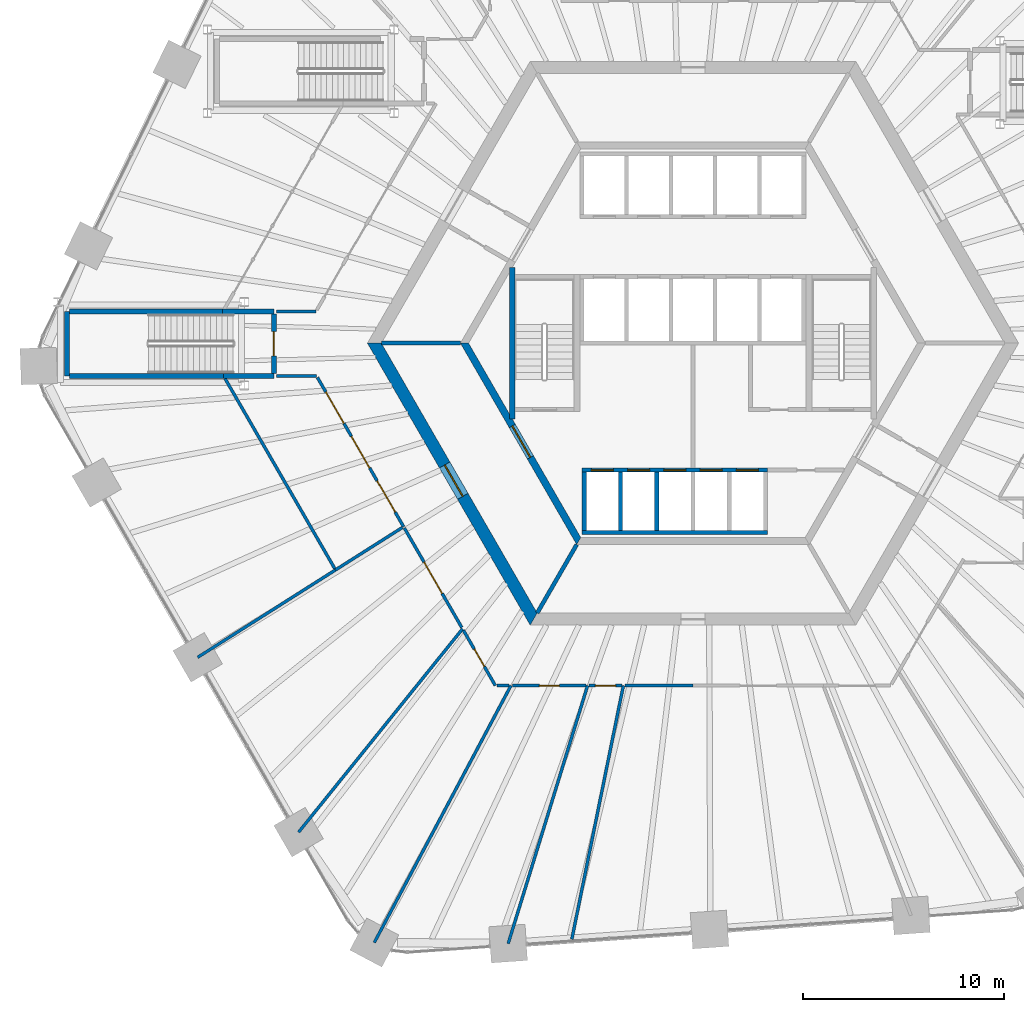
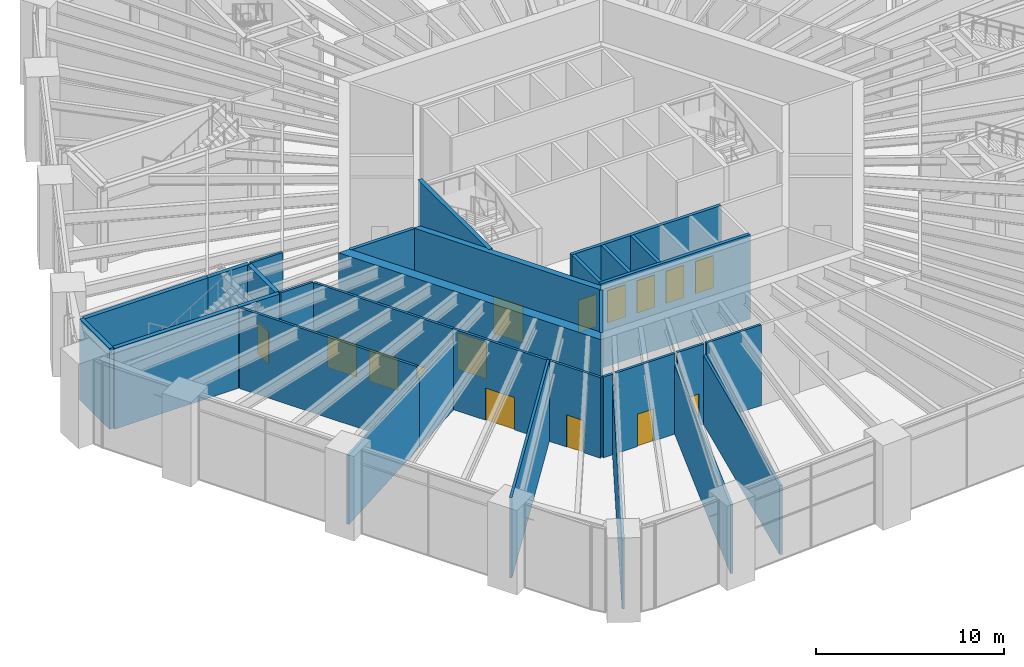
# One storey, part 21 of 30: 32 walls, 15 doors, 15 openings.
"""IFC4 building model written with IfcOpenShell, lengths in metres."""

from ifc_helpers import new_model, si_unit, direction, frame, frame_2d, origin, place, context, subcontext, project, spatial, polyline, rectangle, outline, extrude, material, layer, layer_set, type_object, element, fill, save


model = new_model("IFC4")

# Units and contexts
model_context = context("Model", 3, precision=1e-05, world=origin(), true_north=direction((0.0, 1.0)))
body_context = subcontext(model_context, "Body", "Model", "MODEL_VIEW")
ifc_project = project(units=[si_unit("LENGTHUNIT", "METRE"), si_unit("AREAUNIT", "SQUARE_METRE"), si_unit("VOLUMEUNIT", "CUBIC_METRE"), si_unit("PLANEANGLEUNIT", "RADIAN"), si_unit("MASSUNIT", "GRAM", prefix="KILO")], contexts=[model_context])

# Site, building, storey
site_placement = place(None, origin())
site = spatial("IfcSite", under=ifc_project, at=site_placement, CompositionType="ELEMENT")
building_placement = place(site_placement, origin())
building = spatial("IfcBuilding", under=site, at=building_placement, Name="Tarnside Tower", CompositionType="ELEMENT")
storey_placement = place(building_placement, frame((0.0, 0.0, 15.0)))
storey = spatial("IfcBuildingStorey", under=building, at=storey_placement, Name="L02", CompositionType="ELEMENT", Elevation=15.0)

# Wall, opening, door
ifc_material_1 = material(Name="Concrete C50/60", Category="concrete")
ifc_layer_1 = layer(ifc_material_1, 0.35009765625)
ifc_layer_set_1 = layer_set([ifc_layer_1], Name="Core block wall 350 C50/60")
wall_type_1 = type_object("IfcWallType", Name="Core block wall 350 C50/60", PredefinedType="SHEAR", material=ifc_layer_set_1)
wall_1_placement = place(storey_placement, frame((-11.344970703125, 0.0, -0.25), z_axis=(0.0, 0.0, 1.0), x_axis=(0.499995046907, -0.866028263435, 0.0)))
wall_1 = element("IfcWall", 1, at=wall_1_placement, inside=storey, type_object=wall_type_1, Name="L02 core block wall face 3", PredefinedType="SHEAR", context=body_context, shape_type="SweptSolid", body=[
    extrude(outline(polyline([(-0.10107421875, -0.175048828125), (11.44580078125, -0.175048828125), (11.24365234375, 0.175048828125), (0.10107421875, 0.175048828125), (-0.10107421875, -0.175048828125)])), origin(), (0.0, 0.0, 1.0), 5.5),
])
opening_1_placement = place(wall_1_placement, frame((4.74365234375, 0.0, 0.25)))
opening_1 = element("IfcOpeningElement", 2, at=opening_1_placement, cuts=wall_1, Name="Opening CD-FFL", PredefinedType="OPENING", context=body_context, shape_type="SweptSolid", body=[
    extrude(rectangle(XDim=1.800048828125, YDim=2.39990234375, at=frame_2d((0.89990234375, 1.199951171875))), frame((0.0, 0.18505859375, 0.0), z_axis=(0.0, -1.0, 0.0), x_axis=(1.0, 0.0, 0.0)), (0.0, 0.0, 1.0), 0.3701171875),
])
ifc_material_2 = material(Name="Steel fire door", Category="steel")
door_type_1 = type_object("IfcDoorType", Name="Firefighting lobby double door FD60S 1800x2400", OperationType="NOTDEFINED", PredefinedType="DOOR", material=ifc_material_2)
door_1_placement = place(opening_1_placement, origin())
door_1 = element("IfcDoor", 3, at=door_1_placement, inside=storey, type_object=door_type_1, Name="L02 lobby block door P3", OperationType="DOUBLE_DOOR_SINGLE_SWING", OverallHeight=2.39990234375, OverallWidth=1.800048828125, PredefinedType="DOOR", context=body_context, shape_type="SweptSolid", body=[
    extrude(rectangle(XDim=1.800048828125, YDim=2.39990234375, at=frame_2d((0.89990234375, 1.199951171875))), frame((0.0, 0.02490234375, 0.0), z_axis=(0.0, -1.0, 0.0), x_axis=(1.0, 0.0, 0.0)), (0.0, 0.0, 1.0), 0.050048828125),
])
fill(opening_1, door_1)

ifc_material_3 = material(Name="Concrete C80/95", Category="concrete")
ifc_layer_2 = layer(ifc_material_3, 0.60009765625)
ifc_layer_set_2 = layer_set([ifc_layer_2], Name="Core wall Z1 600 C80/95")
wall_type_2 = type_object("IfcWallType", Name="Core wall Z1 600 C80/95", PredefinedType="SHEAR", material=ifc_layer_set_2)
wall_2_placement = place(storey_placement, frame((-15.8193359375, 0.0, -0.25), z_axis=(0.0, 0.0, 1.0), x_axis=(0.499999880136, -0.866025472988, 0.0)))
wall_2 = element("IfcWall", 4, at=wall_2_placement, inside=storey, type_object=wall_type_2, Name="L02 core wall face 3", PredefinedType="SHEAR", context=body_context, shape_type="SweptSolid", body=[
    extrude(outline(polyline([(-0.17333984375, -0.300048828125), (15.99267578125, -0.300048828125), (15.64599609375, 0.300048828125), (0.17333984375, 0.300048828125), (-0.17333984375, -0.300048828125)])), origin(), (0.0, 0.0, 1.0), 5.5),
])
opening_2_placement = place(wall_2_placement, frame((6.980712890625, 0.0, 0.25)))
opening_2 = element("IfcOpeningElement", 5, at=opening_2_placement, cuts=wall_2, Name="Opening CD-FFL", PredefinedType="OPENING", context=body_context, shape_type="SweptSolid", body=[
    extrude(rectangle(XDim=1.800048828125, YDim=2.39990234375, at=frame_2d((0.89990234375, 1.199951171875))), frame((0.0, 0.31005859375, 0.0), z_axis=(0.0, -1.0, 0.0), x_axis=(1.0, 0.0, 0.0)), (0.0, 0.0, 1.0), 0.6201171875),
])
door_2_placement = place(opening_2_placement, origin())
door_2 = element("IfcDoor", 6, at=door_2_placement, inside=storey, type_object=door_type_1, Name="L02 core door P3", OperationType="DOUBLE_DOOR_SINGLE_SWING", OverallHeight=2.39990234375, OverallWidth=1.800048828125, PredefinedType="DOOR", context=body_context, shape_type="SweptSolid", body=[
    extrude(rectangle(XDim=1.800048828125, YDim=2.39990234375, at=frame_2d((0.89990234375, 1.199951171875))), frame((0.0, 0.02490234375, 0.0), z_axis=(0.0, -1.0, 0.0), x_axis=(1.0, 0.0, 0.0)), (0.0, 0.0, 1.0), 0.050048828125),
])
fill(opening_2, door_2)

# Wall, openings, doors
ifc_material_4 = material(Name="Concrete C40/50", Category="concrete")
ifc_layer_3 = layer(ifc_material_4, 0.199951171875)
ifc_layer_set_3 = layer_set([ifc_layer_3], Name="Lift shaft wall 200 C40/50")
wall_type_3 = type_object("IfcWallType", Name="Lift shaft wall 200 C40/50", PredefinedType="SHEAR", material=ifc_layer_set_3)
wall_3_placement = place(storey_placement, frame((-5.5, -6.300048828125, -0.25), z_axis=(0.0, 0.0, 1.0), x_axis=(1.0, 0.0, 0.0)))
wall_3 = element("IfcWall", 7, at=wall_3_placement, inside=storey, type_object=wall_type_3, Name="L02 lift shaft front wall R4", PredefinedType="SHEAR", context=body_context, shape_type="SweptSolid", body=[
    extrude(rectangle(XDim=9.199951171875, YDim=0.199951171875, at=frame_2d((4.60009765625, 0.0))), origin(), (0.0, 0.0, 1.0), 5.5),
])
opening_3_placement = place(wall_3_placement, frame((0.449951171875, 0.0, 0.25)))
opening_3 = element("IfcOpeningElement", 8, at=opening_3_placement, cuts=wall_3, Name="Opening LDF", PredefinedType="OPENING", context=body_context, shape_type="SweptSolid", body=[
    extrude(rectangle(XDim=1.10009765625, YDim=2.10009765625, at=frame_2d((0.550048828125, 1.050048828125))), frame((0.0, 0.10986328125, 0.0), z_axis=(0.0, -1.0, 0.0), x_axis=(1.0, 0.0, 0.0)), (0.0, 0.0, 1.0), 0.219970703125),
])
opening_4_placement = place(wall_3_placement, frame((2.25, 0.0, 0.25)))
opening_4 = element("IfcOpeningElement", 9, at=opening_4_placement, cuts=wall_3, Name="Opening LDF", PredefinedType="OPENING", context=body_context, shape_type="SweptSolid", body=[
    extrude(rectangle(XDim=1.10009765625, YDim=2.10009765625, at=frame_2d((0.550048828125, 1.050048828125))), frame((0.0, 0.10986328125, 0.0), z_axis=(0.0, -1.0, 0.0), x_axis=(1.0, 0.0, 0.0)), (0.0, 0.0, 1.0), 0.219970703125),
])
opening_5_placement = place(wall_3_placement, frame((4.050048828125, 0.0, 0.25)))
opening_5 = element("IfcOpeningElement", 10, at=opening_5_placement, cuts=wall_3, Name="Opening LDF", PredefinedType="OPENING", context=body_context, shape_type="SweptSolid", body=[
    extrude(rectangle(XDim=1.10009765625, YDim=2.10009765625, at=frame_2d((0.550048828125, 1.050048828125))), frame((0.0, 0.10986328125, 0.0), z_axis=(0.0, -1.0, 0.0), x_axis=(1.0, 0.0, 0.0)), (0.0, 0.0, 1.0), 0.219970703125),
])
opening_6_placement = place(wall_3_placement, frame((5.85009765625, 0.0, 0.25)))
opening_6 = element("IfcOpeningElement", 11, at=opening_6_placement, cuts=wall_3, Name="Opening LDF", PredefinedType="OPENING", context=body_context, shape_type="SweptSolid", body=[
    extrude(rectangle(XDim=1.10009765625, YDim=2.10009765625, at=frame_2d((0.550048828125, 1.050048828125))), frame((0.0, 0.10986328125, 0.0), z_axis=(0.0, -1.0, 0.0), x_axis=(1.0, 0.0, 0.0)), (0.0, 0.0, 1.0), 0.219970703125),
])
opening_7_placement = place(wall_3_placement, frame((7.64990234375, 0.0, 0.25)))
opening_7 = element("IfcOpeningElement", 12, at=opening_7_placement, cuts=wall_3, Name="Opening LDF", PredefinedType="OPENING", context=body_context, shape_type="SweptSolid", body=[
    extrude(rectangle(XDim=1.10009765625, YDim=2.10009765625, at=frame_2d((0.550048828125, 1.050048828125))), frame((0.0, 0.10986328125, 0.0), z_axis=(0.0, -1.0, 0.0), x_axis=(1.0, 0.0, 0.0)), (0.0, 0.0, 1.0), 0.219970703125),
])
ifc_material_5 = material(Name="Stainless steel", Category="steel")
door_type_2 = type_object("IfcDoorType", Name="Lift landing door 1100x2100 EI 120", OperationType="NOTDEFINED", PredefinedType="DOOR", material=ifc_material_5)
door_3_placement = place(opening_3_placement, origin())
door_3 = element("IfcDoor", 13, at=door_3_placement, inside=storey, type_object=door_type_2, Name="Firefighting lift 1 landing door L02", OperationType="SLIDING_TO_LEFT", OverallHeight=2.10009765625, OverallWidth=1.10009765625, PredefinedType="DOOR", context=body_context, shape_type="SweptSolid", body=[
    extrude(rectangle(XDim=1.10009765625, YDim=2.10009765625, at=frame_2d((0.550048828125, 1.050048828125))), frame((0.0, 0.02490234375, 0.0), z_axis=(0.0, -1.0, 0.0), x_axis=(1.0, 0.0, 0.0)), (0.0, 0.0, 1.0), 0.050048828125),
])
fill(opening_3, door_3)
door_4_placement = place(opening_4_placement, origin())
door_4 = element("IfcDoor", 14, at=door_4_placement, inside=storey, type_object=door_type_2, Name="Firefighting lift 2 landing door L02", OperationType="SLIDING_TO_LEFT", OverallHeight=2.10009765625, OverallWidth=1.10009765625, PredefinedType="DOOR", context=body_context, shape_type="SweptSolid", body=[
    extrude(rectangle(XDim=1.10009765625, YDim=2.10009765625, at=frame_2d((0.550048828125, 1.050048828125))), frame((0.0, 0.02490234375, 0.0), z_axis=(0.0, -1.0, 0.0), x_axis=(1.0, 0.0, 0.0)), (0.0, 0.0, 1.0), 0.050048828125),
])
fill(opening_4, door_4)
door_5_placement = place(opening_5_placement, origin())
door_5 = element("IfcDoor", 15, at=door_5_placement, inside=storey, type_object=door_type_2, Name="Firefighting lift 3 landing door L02", OperationType="SLIDING_TO_LEFT", OverallHeight=2.10009765625, OverallWidth=1.10009765625, PredefinedType="DOOR", context=body_context, shape_type="SweptSolid", body=[
    extrude(rectangle(XDim=1.10009765625, YDim=2.10009765625, at=frame_2d((0.550048828125, 1.050048828125))), frame((0.0, 0.02490234375, 0.0), z_axis=(0.0, -1.0, 0.0), x_axis=(1.0, 0.0, 0.0)), (0.0, 0.0, 1.0), 0.050048828125),
])
fill(opening_5, door_5)
door_6_placement = place(opening_6_placement, origin())
door_6 = element("IfcDoor", 16, at=door_6_placement, inside=storey, type_object=door_type_2, Name="Firefighting lift 4 landing door L02", OperationType="SLIDING_TO_LEFT", OverallHeight=2.10009765625, OverallWidth=1.10009765625, PredefinedType="DOOR", context=body_context, shape_type="SweptSolid", body=[
    extrude(rectangle(XDim=1.10009765625, YDim=2.10009765625, at=frame_2d((0.550048828125, 1.050048828125))), frame((0.0, 0.02490234375, 0.0), z_axis=(0.0, -1.0, 0.0), x_axis=(1.0, 0.0, 0.0)), (0.0, 0.0, 1.0), 0.050048828125),
])
fill(opening_6, door_6)
door_7_placement = place(opening_7_placement, origin())
door_7 = element("IfcDoor", 17, at=door_7_placement, inside=storey, type_object=door_type_2, Name="Firefighting lift 5 landing door L02", OperationType="SLIDING_TO_LEFT", OverallHeight=2.10009765625, OverallWidth=1.10009765625, PredefinedType="DOOR", context=body_context, shape_type="SweptSolid", body=[
    extrude(rectangle(XDim=1.10009765625, YDim=2.10009765625, at=frame_2d((0.550048828125, 1.050048828125))), frame((0.0, 0.02490234375, 0.0), z_axis=(0.0, -1.0, 0.0), x_axis=(1.0, 0.0, 0.0)), (0.0, 0.0, 1.0), 0.050048828125),
])
fill(opening_7, door_7)

# Walls
wall_4_placement = place(storey_placement, frame((-5.5, -9.39990234375, -0.25), z_axis=(0.0, 0.0, 1.0), x_axis=(1.0, 0.0, 0.0)))
element("IfcWall", 18, at=wall_4_placement, inside=storey, type_object=wall_type_3, Name="L02 lift shaft back wall R4", PredefinedType="SHEAR", context=body_context, shape_type="SweptSolid", body=[
    extrude(rectangle(XDim=9.199951171875, YDim=0.199951171875, at=frame_2d((4.60009765625, 0.0))), origin(), (0.0, 0.0, 1.0), 5.5),
])
for number, where, z_axis, x_axis, name in (
    (19, (-5.39990234375, -9.300048828125, -0.25), (0.0, 0.0, 1.0), (0.0, 1.0, 0.0), "L02 lift shaft partition R41"),
    (20, (-3.60009765625, -9.300048828125, -0.25), (0.0, 0.0, 1.0), (0.0, 1.0, 0.0), "L02 lift shaft partition R42"),
    (21, (-1.800048828125, -9.300048828125, -0.25), (0.0, 0.0, 1.0), (0.0, 1.0, 0.0), "L02 lift shaft partition R43"),
):
    element("IfcWall", number, at=place(storey_placement, frame(where, z_axis=z_axis, x_axis=x_axis)), inside=storey, type_object=wall_type_3, Name=name, PredefinedType="SHEAR", context=body_context, shape_type="SweptSolid", body=[
        extrude(rectangle(XDim=2.900146484375, YDim=0.199951171875, at=frame_2d((1.4501953125, 0.0))), origin(), (0.0, 0.0, 1.0), 5.5),
    ])
wall_5_placement = place(storey_placement, frame((-11.547119140625, 0.0, -0.25), z_axis=(0.0, 0.0, 1.0), x_axis=(-1.0, 0.0, 0.0)))
element("IfcWall", 22, at=wall_5_placement, inside=storey, type_object=wall_type_3, Name="L02 core partition AR180", PredefinedType="SHEAR", context=body_context, shape_type="SweptSolid", body=[
    extrude(rectangle(XDim=3.92578125, YDim=0.199951171875, at=frame_2d((1.962890625, 0.0))), origin(), (0.0, 0.0, 1.0), 5.5),
])
wall_6_placement = place(storey_placement, frame((-5.7734375, -10.0, -0.25), z_axis=(0.0, 0.0, 1.0), x_axis=(-0.500038251005, -0.86600331843, 0.0)))
element("IfcWall", 23, at=wall_6_placement, inside=storey, type_object=wall_type_3, Name="L02 core partition AR240", PredefinedType="SHEAR", context=body_context, shape_type="SweptSolid", body=[
    extrude(rectangle(XDim=3.926025390625, YDim=0.199951171875, at=frame_2d((1.962890625, 0.0))), origin(), (0.0, 0.0, 1.0), 5.5),
])
ifc_material_6 = material(Name="Gypsum board")
ifc_layer_4 = layer(ifc_material_6, 0.14990234375)
ifc_layer_set_4 = layer_set([ifc_layer_4], Name="Partition 150 gypsum board on metal stud")
wall_type_4 = type_object("IfcWallType", Name="Partition 150 gypsum board on metal stud", PredefinedType="PARTITIONING", material=ifc_layer_set_4)
wall_7_placement = place(storey_placement, frame((-24.595947265625, -15.59912109375, 0.0), z_axis=(0.0, 0.0, 1.0), x_axis=(0.844468094915, 0.535605859445, 0.0)))
element("IfcWall", 24, at=wall_7_placement, inside=storey, type_object=wall_type_4, Name="Partition 002", PredefinedType="PARTITIONING", context=body_context, shape_type="SweptSolid", body=[
    extrude(rectangle(XDim=8.116455078125, YDim=0.14990234375, at=frame_2d((4.05810546875, 0.0))), origin(), (0.0, 0.0, 1.0), 4.49609375),
])
wall_8_placement = place(storey_placement, frame((-23.23876953125, -1.75, 0.0), z_axis=(0.0, 0.0, 1.0), x_axis=(0.499992537871, -0.866029712004, 0.0)))
element("IfcWall", 25, at=wall_8_placement, inside=storey, type_object=wall_type_4, Name="Partition 006", PredefinedType="PARTITIONING", context=body_context, shape_type="SweptSolid", body=[
    extrude(rectangle(XDim=10.902587890625, YDim=0.14990234375, at=frame_2d((5.451171875, 0.0))), origin(), (0.0, 0.0, 1.0), 5.25),
])
wall_9_placement = place(storey_placement, frame((-20.679931640625, 1.574951171875, 0.0), z_axis=(0.0, 0.0, 1.0), x_axis=(1.0, 0.0, 0.0)))
element("IfcWall", 26, at=wall_9_placement, inside=storey, type_object=wall_type_4, Name="Partition 011", PredefinedType="PARTITIONING", context=body_context, shape_type="SweptSolid", body=[
    extrude(rectangle(XDim=1.958984375, YDim=0.14990234375, at=frame_2d((0.9794921875, 0.0))), origin(), (0.0, 0.0, 1.0), 5.25),
])
wall_10_placement = place(storey_placement, frame((-19.583984375, -24.280029296875, 0.0), z_axis=(0.0, 0.0, 1.0), x_axis=(0.627807267634, 0.77836882948, 0.0)))
element("IfcWall", 27, at=wall_10_placement, inside=storey, type_object=wall_type_4, Name="Partition 012", PredefinedType="PARTITIONING", context=body_context, shape_type="SweptSolid", body=[
    extrude(rectangle(XDim=12.970703125, YDim=0.14990234375, at=frame_2d((6.4853515625, 0.0))), origin(), (0.0, 0.0, 1.0), 5.25),
])
wall_11_placement = place(storey_placement, frame((-18.69189453125, -1.625, 0.0), z_axis=(0.0, 0.0, 1.0), x_axis=(-1.0, 0.0, 0.0)))
element("IfcWall", 28, at=wall_11_placement, inside=storey, type_object=wall_type_4, Name="Partition 013", PredefinedType="PARTITIONING", context=body_context, shape_type="SweptSolid", body=[
    extrude(rectangle(XDim=1.988037109375, YDim=0.14990234375, at=frame_2d((0.994140625, 0.0))), origin(), (0.0, 0.0, 1.0), 5.25),
])

# Wall, openings, doors
wall_12_placement = place(storey_placement, frame((-18.648681640625, -1.699951171875, 0.0), z_axis=(0.0, 0.0, 1.0), x_axis=(0.499985805234, -0.866033598981, 0.0)))
wall_12 = element("IfcWall", 29, at=wall_12_placement, inside=storey, type_object=wall_type_4, Name="Partition 014", PredefinedType="PARTITIONING", context=body_context, shape_type="SweptSolid", body=[
    extrude(rectangle(XDim=8.559814453125, YDim=0.14990234375, at=frame_2d((4.27978515625, 0.0))), origin(), (0.0, 0.0, 1.0), 5.25),
])
opening_8_placement = place(wall_12_placement, frame((0.8359375, 0.0, 0.0)))
opening_8 = element("IfcOpeningElement", 30, at=opening_8_placement, cuts=wall_12, Name="Opening D1800F30", PredefinedType="OPENING", context=body_context, shape_type="SweptSolid", body=[
    extrude(rectangle(XDim=1.800048828125, YDim=2.10009765625, at=frame_2d((0.89990234375, 1.050048828125))), frame((0.0, 0.0849609375, 0.0), z_axis=(0.0, -1.0, 0.0), x_axis=(1.0, 0.0, 0.0)), (0.0, 0.0, 1.0), 0.169921875),
])
opening_9_placement = place(wall_12_placement, frame((3.3798828125, 0.0, 0.0)))
opening_9 = element("IfcOpeningElement", 31, at=opening_9_placement, cuts=wall_12, Name="Opening D1800F30", PredefinedType="OPENING", context=body_context, shape_type="SweptSolid", body=[
    extrude(rectangle(XDim=1.800048828125, YDim=2.10009765625, at=frame_2d((0.89990234375, 1.050048828125))), frame((0.0, 0.0849609375, 0.0), z_axis=(0.0, -1.0, 0.0), x_axis=(1.0, 0.0, 0.0)), (0.0, 0.0, 1.0), 0.169921875),
])
opening_10_placement = place(wall_12_placement, frame((5.923828125, 0.0, 0.0)))
opening_10 = element("IfcOpeningElement", 32, at=opening_10_placement, cuts=wall_12, Name="Opening D1800F30", PredefinedType="OPENING", context=body_context, shape_type="SweptSolid", body=[
    extrude(rectangle(XDim=1.800048828125, YDim=2.10009765625, at=frame_2d((0.89990234375, 1.050048828125))), frame((0.0, 0.0849609375, 0.0), z_axis=(0.0, -1.0, 0.0), x_axis=(1.0, 0.0, 0.0)), (0.0, 0.0, 1.0), 0.169921875),
])
ifc_material_7 = material(Name="Timber door leaf", Category="wood")
door_type_3 = type_object("IfcDoorType", Name="Door pair 1800 x 2100 FD30S fire door", OperationType="NOTDEFINED", PredefinedType="DOOR", material=ifc_material_7)
door_8_placement = place(opening_8_placement, origin())
door_8 = element("IfcDoor", 33, at=door_8_placement, inside=storey, type_object=door_type_3, Name="Door L02-02", OperationType="DOUBLE_DOOR_SINGLE_SWING", OverallHeight=2.10009765625, OverallWidth=1.800048828125, PredefinedType="DOOR", context=body_context, shape_type="SweptSolid", body=[
    extrude(rectangle(XDim=1.800048828125, YDim=2.10009765625, at=frame_2d((0.89990234375, 1.050048828125))), frame((0.0, 0.02490234375, 0.0), z_axis=(0.0, -1.0, 0.0), x_axis=(1.0, 0.0, 0.0)), (0.0, 0.0, 1.0), 0.050048828125),
])
fill(opening_8, door_8)
door_9_placement = place(opening_9_placement, origin())
door_9 = element("IfcDoor", 34, at=door_9_placement, inside=storey, type_object=door_type_3, Name="Door L02-03", OperationType="DOUBLE_DOOR_SINGLE_SWING", OverallHeight=2.10009765625, OverallWidth=1.800048828125, PredefinedType="DOOR", context=body_context, shape_type="SweptSolid", body=[
    extrude(rectangle(XDim=1.800048828125, YDim=2.10009765625, at=frame_2d((0.89990234375, 1.050048828125))), frame((0.0, 0.02490234375, 0.0), z_axis=(0.0, -1.0, 0.0), x_axis=(1.0, 0.0, 0.0)), (0.0, 0.0, 1.0), 0.050048828125),
])
fill(opening_9, door_9)
door_10_placement = place(opening_10_placement, origin())
door_10 = element("IfcDoor", 35, at=door_10_placement, inside=storey, type_object=door_type_3, Name="Door L02-04", OperationType="DOUBLE_DOOR_SINGLE_SWING", OverallHeight=2.10009765625, OverallWidth=1.800048828125, PredefinedType="DOOR", context=body_context, shape_type="SweptSolid", body=[
    extrude(rectangle(XDim=1.800048828125, YDim=2.10009765625, at=frame_2d((0.89990234375, 1.050048828125))), frame((0.0, 0.02490234375, 0.0), z_axis=(0.0, -1.0, 0.0), x_axis=(1.0, 0.0, 0.0)), (0.0, 0.0, 1.0), 0.050048828125),
])
fill(opening_10, door_10)

# Walls
wall_13_placement = place(storey_placement, frame((-17.758056640625, -11.261962890625, 0.0), z_axis=(0.0, 0.0, 1.0), x_axis=(0.844546191186, 0.53548270836, 0.0)))
element("IfcWall", 36, at=wall_13_placement, inside=storey, type_object=wall_type_4, Name="Partition 016", PredefinedType="PARTITIONING", context=body_context, shape_type="SweptSolid", body=[
    extrude(rectangle(XDim=3.937744140625, YDim=0.14990234375, at=frame_2d((1.96875, 0.0))), origin(), (0.0, 0.0, 1.0), 4.49609375),
])
wall_14_placement = place(storey_placement, frame((-15.823974609375, -29.760009765625, 0.0), z_axis=(0.0, 0.0, 1.0), x_axis=(0.469487453171, 0.882939143608, 0.0)))
element("IfcWall", 37, at=wall_14_placement, inside=storey, type_object=wall_type_4, Name="Partition 019", PredefinedType="PARTITIONING", context=body_context, shape_type="SweptSolid", body=[
    extrude(rectangle(XDim=14.45166015625, YDim=0.14990234375, at=frame_2d((7.225830078125, 0.0))), origin(), (0.0, 0.0, 1.0), 4.48779296875),
])

# Wall, opening, door
wall_15_placement = place(storey_placement, frame((-11.481201171875, -14.1142578125, 0.0), z_axis=(0.0, 0.0, 1.0), x_axis=(-0.500049947645, 0.865996564577, 0.0)))
wall_15 = element("IfcWall", 38, at=wall_15_placement, inside=storey, type_object=wall_type_4, Name="Partition 021", PredefinedType="PARTITIONING", context=body_context, shape_type="SweptSolid", body=[
    extrude(rectangle(XDim=5.7001953125, YDim=0.14990234375, at=frame_2d((2.85009765625, 0.0))), origin(), (0.0, 0.0, 1.0), 5.25),
])
opening_11_placement = place(wall_15_placement, frame((1.9501953125, 0.0, 0.0)))
opening_11 = element("IfcOpeningElement", 39, at=opening_11_placement, cuts=wall_15, Name="Opening D1800F30", PredefinedType="OPENING", context=body_context, shape_type="SweptSolid", body=[
    extrude(rectangle(XDim=1.800048828125, YDim=2.10009765625, at=frame_2d((0.89990234375, 1.050048828125))), frame((0.0, 0.0849609375, 0.0), z_axis=(0.0, -1.0, 0.0), x_axis=(1.0, 0.0, 0.0)), (0.0, 0.0, 1.0), 0.169921875),
])
door_11_placement = place(opening_11_placement, origin())
door_11 = element("IfcDoor", 40, at=door_11_placement, inside=storey, type_object=door_type_3, Name="Door L02-13", OperationType="DOUBLE_DOOR_SINGLE_SWING", OverallHeight=2.10009765625, OverallWidth=1.800048828125, PredefinedType="DOOR", context=body_context, shape_type="SweptSolid", body=[
    extrude(rectangle(XDim=1.800048828125, YDim=2.10009765625, at=frame_2d((0.89990234375, 1.050048828125))), frame((0.0, 0.02490234375, 0.0), z_axis=(0.0, -1.0, 0.0), x_axis=(1.0, 0.0, 0.0)), (0.0, 0.0, 1.0), 0.050048828125),
])
fill(opening_11, door_11)

wall_16_placement = place(storey_placement, frame((-9.81494140625, -17.0, 0.0), z_axis=(0.0, 0.0, 1.0), x_axis=(-0.500080068905, 0.865979171045, 0.0)))
wall_16 = element("IfcWall", 41, at=wall_16_placement, inside=storey, type_object=wall_type_4, Name="Partition 028", PredefinedType="PARTITIONING", context=body_context, shape_type="SweptSolid", body=[
    extrude(rectangle(XDim=3.17138671875, YDim=0.14990234375, at=frame_2d((1.585693359375, 0.0))), origin(), (0.0, 0.0, 1.0), 5.25),
])
opening_12_placement = place(wall_16_placement, frame((1.085693359375, 0.0, 0.0)))
opening_12 = element("IfcOpeningElement", 42, at=opening_12_placement, cuts=wall_16, Name="Opening D1000", PredefinedType="OPENING", context=body_context, shape_type="SweptSolid", body=[
    extrude(rectangle(XDim=1.0, YDim=2.10009765625, at=frame_2d((0.5, 1.050048828125))), frame((0.0, 0.0849609375, 0.0), z_axis=(0.0, -1.0, 0.0), x_axis=(1.0, 0.0, 0.0)), (0.0, 0.0, 1.0), 0.169921875),
])
door_type_4 = type_object("IfcDoorType", Name="Door 1000 x 2100 single leaf", OperationType="NOTDEFINED", PredefinedType="DOOR", material=ifc_material_7)
door_12_placement = place(opening_12_placement, origin())
door_12 = element("IfcDoor", 43, at=door_12_placement, inside=storey, type_object=door_type_4, Name="Door L02-16", OperationType="SINGLE_SWING_LEFT", OverallHeight=2.10009765625, OverallWidth=1.0, PredefinedType="DOOR", context=body_context, shape_type="SweptSolid", body=[
    extrude(rectangle(XDim=1.0, YDim=2.10009765625, at=frame_2d((0.5, 1.050048828125))), frame((0.0, 0.02490234375, 0.0), z_axis=(0.0, -1.0, 0.0), x_axis=(1.0, 0.0, 0.0)), (0.0, 0.0, 1.0), 0.050048828125),
])
fill(opening_12, door_12)

# Walls
wall_17_placement = place(storey_placement, frame((-9.728515625, -17.0, 0.0), z_axis=(0.0, 0.0, 1.0), x_axis=(1.0, 0.0, 0.0)))
element("IfcWall", 44, at=wall_17_placement, inside=storey, type_object=wall_type_4, Name="Partition 036", PredefinedType="PARTITIONING", context=body_context, shape_type="SweptSolid", body=[
    extrude(rectangle(XDim=0.6044921875, YDim=0.14990234375, at=frame_2d((0.30224609375, 0.0))), origin(), (0.0, 0.0, 1.0), 5.25),
])
wall_18_placement = place(storey_placement, frame((-9.177001953125, -29.81298828125, 0.0), z_axis=(0.0, 0.0, 1.0), x_axis=(0.29419717946, 0.955744746048, 0.0)))
element("IfcWall", 45, at=wall_18_placement, inside=storey, type_object=wall_type_4, Name="Partition 037", PredefinedType="PARTITIONING", context=body_context, shape_type="SweptSolid", body=[
    extrude(rectangle(XDim=13.40625, YDim=0.14990234375, at=frame_2d((6.703125, 0.0))), origin(), (0.0, 0.0, 1.0), 4.48779296875),
])

# Wall, opening, door
wall_19_placement = place(storey_placement, frame((-5.3115234375, -17.0, 0.0), z_axis=(0.0, 0.0, 1.0), x_axis=(-1.0, 0.0, 0.0)))
wall_19 = element("IfcWall", 46, at=wall_19_placement, inside=storey, type_object=wall_type_4, Name="Partition 038", PredefinedType="PARTITIONING", context=body_context, shape_type="SweptSolid", body=[
    extrude(rectangle(XDim=3.642578125, YDim=0.14990234375, at=frame_2d((1.8212890625, 0.0))), origin(), (0.0, 0.0, 1.0), 5.25),
])
opening_13_placement = place(wall_19_placement, frame((1.3212890625, 0.0, 0.0)))
opening_13 = element("IfcOpeningElement", 47, at=opening_13_placement, cuts=wall_19, Name="Opening D1000", PredefinedType="OPENING", context=body_context, shape_type="SweptSolid", body=[
    extrude(rectangle(XDim=1.0, YDim=2.10009765625, at=frame_2d((0.5, 1.050048828125))), frame((0.0, 0.0849609375, 0.0), z_axis=(0.0, -1.0, 0.0), x_axis=(1.0, 0.0, 0.0)), (0.0, 0.0, 1.0), 0.169921875),
])
door_13_placement = place(opening_13_placement, origin())
door_13 = element("IfcDoor", 48, at=door_13_placement, inside=storey, type_object=door_type_4, Name="Door L02-19", OperationType="SINGLE_SWING_RIGHT", OverallHeight=2.10009765625, OverallWidth=1.0, PredefinedType="DOOR", context=body_context, shape_type="SweptSolid", body=[
    extrude(rectangle(XDim=1.0, YDim=2.10009765625, at=frame_2d((0.5, 1.050048828125))), frame((0.0, 0.02490234375, 0.0), z_axis=(0.0, -1.0, 0.0), x_axis=(1.0, 0.0, 0.0)), (0.0, 0.0, 1.0), 0.050048828125),
])
fill(opening_13, door_13)

# Wall
wall_20_placement = place(storey_placement, frame((-6.01611328125, -29.592041015625, 0.0), z_axis=(0.0, 0.0, 1.0), x_axis=(0.199231841521, 0.979952383192, 0.0)))
element("IfcWall", 49, at=wall_20_placement, inside=storey, type_object=wall_type_4, Name="Partition 041", PredefinedType="PARTITIONING", context=body_context, shape_type="SweptSolid", body=[
    extrude(rectangle(XDim=12.849609375, YDim=0.14990234375, at=frame_2d((6.4248046875, 0.0))), origin(), (0.0, 0.0, 1.0), 4.49609375),
])

# Wall, opening, door
wall_21_placement = place(storey_placement, frame((-3.532470703125, -17.0, 0.0), z_axis=(0.0, 0.0, 1.0), x_axis=(-1.0, 0.0, 0.0)))
wall_21 = element("IfcWall", 50, at=wall_21_placement, inside=storey, type_object=wall_type_4, Name="Partition 042", PredefinedType="PARTITIONING", context=body_context, shape_type="SweptSolid", body=[
    extrude(rectangle(XDim=1.6220703125, YDim=0.14990234375, at=frame_2d((0.81103515625, 0.0))), origin(), (0.0, 0.0, 1.0), 5.25),
])
opening_14_placement = place(wall_21_placement, frame((0.31103515625, 0.0, 0.0)))
opening_14 = element("IfcOpeningElement", 51, at=opening_14_placement, cuts=wall_21, Name="Opening D1000", PredefinedType="OPENING", context=body_context, shape_type="SweptSolid", body=[
    extrude(rectangle(XDim=1.0, YDim=2.10009765625, at=frame_2d((0.5, 1.050048828125))), frame((0.0, 0.0849609375, 0.0), z_axis=(0.0, -1.0, 0.0), x_axis=(1.0, 0.0, 0.0)), (0.0, 0.0, 1.0), 0.169921875),
])
door_14_placement = place(opening_14_placement, origin())
door_14 = element("IfcDoor", 52, at=door_14_placement, inside=storey, type_object=door_type_4, Name="Door L02-20", OperationType="SINGLE_SWING_LEFT", OverallHeight=2.10009765625, OverallWidth=1.0, PredefinedType="DOOR", context=body_context, shape_type="SweptSolid", body=[
    extrude(rectangle(XDim=1.0, YDim=2.10009765625, at=frame_2d((0.5, 1.050048828125))), frame((0.0, 0.02490234375, 0.0), z_axis=(0.0, -1.0, 0.0), x_axis=(1.0, 0.0, 0.0)), (0.0, 0.0, 1.0), 0.050048828125),
])
fill(opening_14, door_14)

# Walls
wall_22_placement = place(storey_placement, frame((-3.37939453125, -17.0, 0.0), z_axis=(0.0, 0.0, 1.0), x_axis=(1.0, 0.0, 0.0)))
element("IfcWall", 53, at=wall_22_placement, inside=storey, type_object=wall_type_4, Name="Partition 043", PredefinedType="PARTITIONING", context=body_context, shape_type="SweptSolid", body=[
    extrude(rectangle(XDim=3.37939453125, YDim=0.14990234375, at=frame_2d((1.689697265625, 0.0))), origin(), (0.0, 0.0, 1.0), 5.25),
])
ifc_layer_5 = layer(ifc_material_4, 0.25)
ifc_layer_set_5 = layer_set([ifc_layer_5], Name="Stair enclosure wall 250 C40/50")
wall_type_5 = type_object("IfcWallType", Name="Stair enclosure wall 250 C40/50", PredefinedType="SHEAR", material=ifc_layer_set_5)
wall_23_placement = place(storey_placement, frame((-8.97509765625, -3.7548828125, -0.25), z_axis=(0.0, 0.0, 1.0), x_axis=(0.0, 1.0, 0.0)))
element("IfcWall", 54, at=wall_23_placement, inside=storey, type_object=wall_type_5, Name="L02 stair 2 enclosure wall outer", PredefinedType="SHEAR", context=body_context, shape_type="SweptSolid", body=[
    extrude(rectangle(XDim=7.509765625, YDim=0.25, at=frame_2d((3.7548828125, 0.0))), origin(), (0.0, 0.0, 1.0), 5.5),
])
ifc_material_8 = material(Name="Concrete C32/40", Category="concrete")
ifc_layer_6 = layer(ifc_material_8, 0.25)
ifc_layer_set_6 = layer_set([ifc_layer_6], Name="Wall 250 reinforced Concrete C32/40")
wall_type_6 = type_object("IfcWallType", Name="Wall 250 reinforced Concrete C32/40", PredefinedType="PARTITIONING", material=ifc_layer_set_6)
wall_24_placement = place(storey_placement, frame((-31.074951171875, -1.625, 0.0), z_axis=(0.0, 0.0, 1.0), x_axis=(0.0, 1.0, 0.0)))
element("IfcWall", 55, at=wall_24_placement, inside=storey, type_object=wall_type_6, Name="Partition 000", PredefinedType="PARTITIONING", context=body_context, shape_type="SweptSolid", body=[
    extrude(rectangle(XDim=3.199951171875, YDim=0.25, at=frame_2d((1.60009765625, 0.0))), origin(), (0.0, 0.0, 1.0), 5.25),
])
wall_25_placement = place(storey_placement, frame((-30.949951171875, 1.574951171875, 0.0), z_axis=(0.0, 0.0, 1.0), x_axis=(1.0, 0.0, 0.0)))
element("IfcWall", 56, at=wall_25_placement, inside=storey, type_object=wall_type_6, Name="Partition 001", PredefinedType="PARTITIONING", context=body_context, shape_type="SweptSolid", body=[
    extrude(rectangle(XDim=7.6220703125, YDim=0.25, at=frame_2d((3.81103515625, 0.0))), origin(), (0.0, 0.0, 1.0), 5.25),
])
wall_26_placement = place(storey_placement, frame((-23.35009765625, 1.574951171875, 0.0), z_axis=(0.0, 0.0, 1.0), x_axis=(1.0, 0.0, 0.0)))
element("IfcWall", 57, at=wall_26_placement, inside=storey, type_object=wall_type_6, Name="Partition 005", PredefinedType="PARTITIONING", context=body_context, shape_type="SweptSolid", body=[
    extrude(rectangle(XDim=2.545166015625, YDim=0.25, at=frame_2d((1.2724609375, 0.0))), origin(), (0.0, 0.0, 1.0), 5.25),
])
wall_27_placement = place(storey_placement, frame((-23.299072265625, -1.625, 0.0), z_axis=(0.0, 0.0, 1.0), x_axis=(-1.0, 0.0, 0.0)))
element("IfcWall", 58, at=wall_27_placement, inside=storey, type_object=wall_type_6, Name="Partition 007", PredefinedType="PARTITIONING", context=body_context, shape_type="SweptSolid", body=[
    extrude(rectangle(XDim=7.65087890625, YDim=0.25, at=frame_2d((3.825439453125, 0.0))), origin(), (0.0, 0.0, 1.0), 5.25),
])
wall_28_placement = place(storey_placement, frame((-20.804931640625, -1.625, 0.0), z_axis=(0.0, 0.0, 1.0), x_axis=(-1.0, 0.0, 0.0)))
element("IfcWall", 59, at=wall_28_placement, inside=storey, type_object=wall_type_6, Name="Partition 009", PredefinedType="PARTITIONING", context=body_context, shape_type="SweptSolid", body=[
    extrude(rectangle(XDim=2.51611328125, YDim=0.25, at=frame_2d((1.258056640625, 0.0))), origin(), (0.0, 0.0, 1.0), 5.25),
])

# Wall, opening, door
wall_29_placement = place(storey_placement, frame((-20.804931640625, 1.449951171875, 0.0), z_axis=(0.0, 0.0, 1.0), x_axis=(0.0, -1.0, 0.0)))
wall_29 = element("IfcWall", 60, at=wall_29_placement, inside=storey, type_object=wall_type_6, Name="Partition 010", PredefinedType="PARTITIONING", context=body_context, shape_type="SweptSolid", body=[
    extrude(rectangle(XDim=2.949951171875, YDim=0.25, at=frame_2d((1.47509765625, 0.0))), origin(), (0.0, 0.0, 1.0), 5.25),
])
opening_15_placement = place(wall_29_placement, frame((0.875, 0.0, 0.0)))
opening_15 = element("IfcOpeningElement", 61, at=opening_15_placement, cuts=wall_29, Name="Opening D1200F60S", PredefinedType="OPENING", context=body_context, shape_type="SweptSolid", body=[
    extrude(rectangle(XDim=1.199951171875, YDim=2.10009765625, at=frame_2d((0.60009765625, 1.050048828125))), frame((0.0, 0.135009765625, 0.0), z_axis=(0.0, -1.0, 0.0), x_axis=(1.0, 0.0, 0.0)), (0.0, 0.0, 1.0), 0.27001953125),
])
door_type_5 = type_object("IfcDoorType", Name="Door 1200 x 2100 single leaf FD60S fire door", OperationType="NOTDEFINED", PredefinedType="DOOR", material=ifc_material_7)
door_15_placement = place(opening_15_placement, origin())
door_15 = element("IfcDoor", 62, at=door_15_placement, inside=storey, type_object=door_type_5, Name="Door L02-01", OperationType="SINGLE_SWING_RIGHT", OverallHeight=2.10009765625, OverallWidth=1.199951171875, PredefinedType="DOOR", context=body_context, shape_type="SweptSolid", body=[
    extrude(rectangle(XDim=1.199951171875, YDim=2.10009765625, at=frame_2d((0.60009765625, 1.050048828125))), frame((0.0, 0.02490234375, 0.0), z_axis=(0.0, -1.0, 0.0), x_axis=(1.0, 0.0, 0.0)), (0.0, 0.0, 1.0), 0.050048828125),
])
fill(opening_15, door_15)

save(model, "model.ifc")
